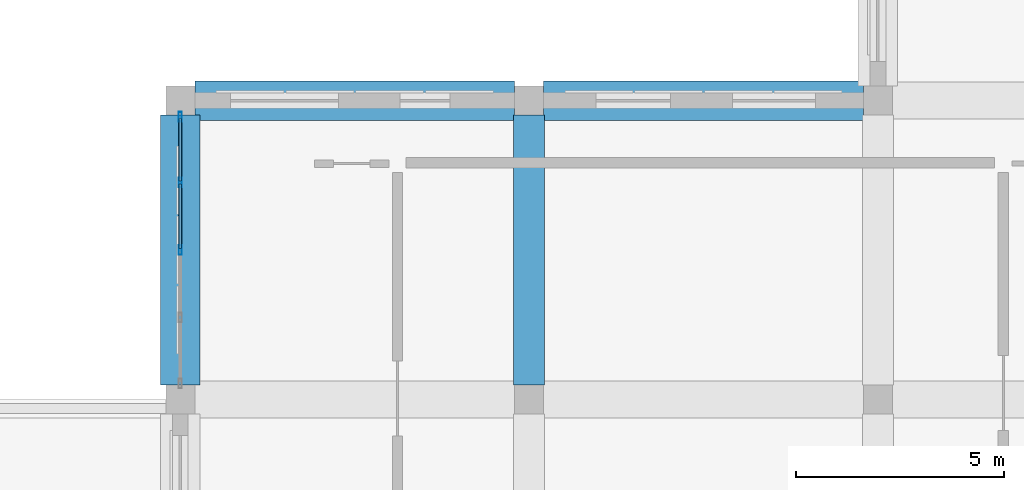
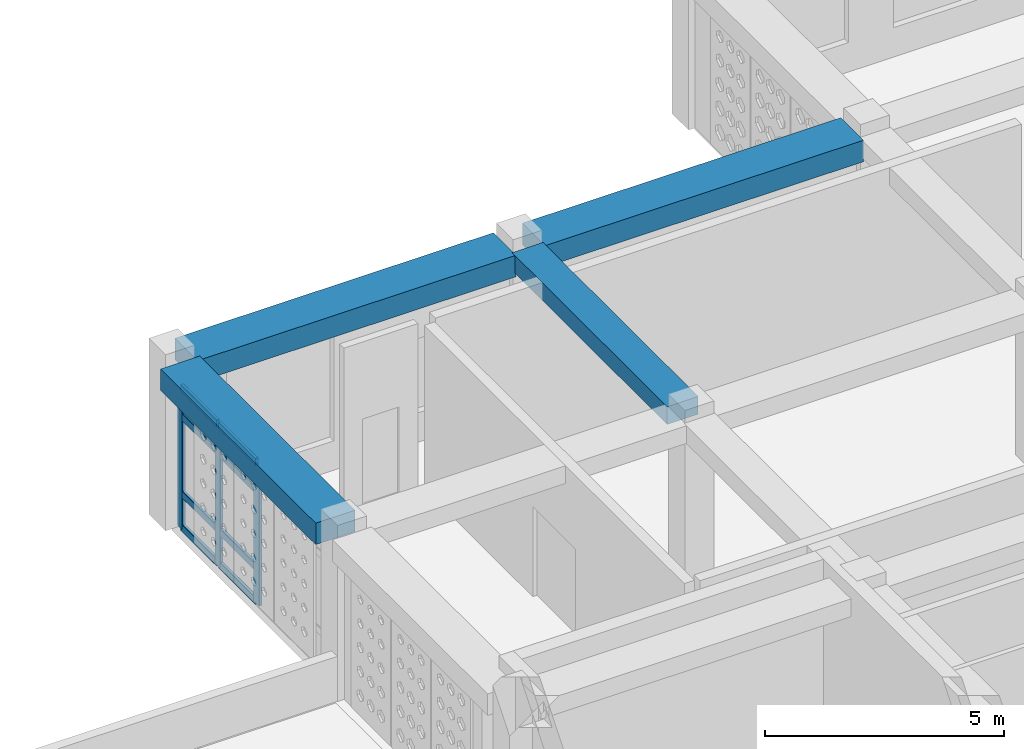
# One storey, part 23 of 79: 11 members, 4 beams, 1 element without a shape of its own.
"""IFC4 building model written with IfcOpenShell, lengths in metres."""

import ifcopenshell
import ifcopenshell.guid

model = None  # the IFC model being written
_history = None  # IfcOwnerHistory: only IFC2X3 demands one
_inside = {}  # id of a spatial element -> (the spatial element, [elements in it])
_under = {}  # id of a project, library or spatial element -> (it, [spatial elements below it])
_declared = {}  # id of a project -> (the project, [libraries it declares])
_typed = {}  # id of a type object -> (the type object, [elements of that type])
_made_of = {}  # id of a material, layer set ... -> (it, [elements and type objects made of it])


def new_model(schema):
    """Start an empty IFC model of exactly this schema.

    Asked for "IFC4X3", IfcOpenShell would pick the latest addendum, in which some entities
    have other attributes; the version numbers below select the first issue.
    IFC2X3 requires an IfcOwnerHistory on every rooted entity: one is made here for all.
    """
    global model, _history
    if schema == "IFC4X3":
        model = ifcopenshell.file(schema_version=(4, 3, 0, 0))
    else:
        model = ifcopenshell.file(schema=schema)
    _inside.clear()
    _under.clear()
    _declared.clear()
    _typed.clear()
    _made_of.clear()
    _history = None
    if model.schema == "IFC2X3":
        org = make("IfcOrganization", Name="unknown")
        user = make(
            "IfcPersonAndOrganization",
            ThePerson=make("IfcPerson", FamilyName="unknown"),
            TheOrganization=org,
        )
        app = make(
            "IfcApplication",
            ApplicationDeveloper=org,
            Version="unknown",
            ApplicationFullName="unknown",
            ApplicationIdentifier="unknown",
        )
        _history = make(
            "IfcOwnerHistory",
            OwningUser=user,
            OwningApplication=app,
            ChangeAction="ADDED",
            CreationDate=0,
        )
    return model


def make(cls, **values):
    """One entity of the class cls with the attributes given. An attribute that is None is left unset."""
    return model.create_entity(
        cls, **{name: value for name, value in values.items() if value is not None}
    )


def rooted(cls, **values):
    """An entity with a GlobalId (a new one), such as an element, a storey or a relation."""
    return make(cls, GlobalId=ifcopenshell.guid.new(), OwnerHistory=_history, **values)


def si_unit(unit_type, name, prefix=None):
    """IfcSIUnit, for example si_unit("LENGTHUNIT", "METRE", prefix="MILLI")."""
    return make("IfcSIUnit", UnitType=unit_type, Prefix=prefix, Name=name)


def derived_unit(unit_type, elements):
    """IfcDerivedUnit: a product of units, each with its exponent."""
    return make(
        "IfcDerivedUnit",
        Elements=[
            make("IfcDerivedUnitElement", Unit=unit, Exponent=power)
            for unit, power in elements
        ],
        UnitType=unit_type,
    )


def assignment(units):
    """IfcUnitAssignment: the units of a project."""
    return None if units is None else make("IfcUnitAssignment", Units=units)


def point(xyz):
    """IfcCartesianPoint."""
    return None if xyz is None else make("IfcCartesianPoint", Coordinates=xyz)


def direction(xyz):
    """IfcDirection."""
    return None if xyz is None else make("IfcDirection", DirectionRatios=xyz)


def frame(location, z_axis=None, x_axis=None):
    """IfcAxis2Placement3D, a coordinate frame: its origin and axes. An axis left out is left unset."""
    return make(
        "IfcAxis2Placement3D",
        Location=point(location),
        Axis=direction(z_axis),
        RefDirection=direction(x_axis),
    )


def frame_2d(location, x_axis=None):
    """IfcAxis2Placement2D, a coordinate frame in the plane: its origin and x axis."""
    return make(
        "IfcAxis2Placement2D", Location=point(location), RefDirection=direction(x_axis)
    )


def origin():
    """The frame at (0, 0, 0) with its axes left unset."""
    return frame((0.0, 0.0, 0.0))


def origin_2d():
    """The frame at (0, 0) in the plane with its x axis left unset."""
    return frame_2d((0.0, 0.0))


def place(relative_to, where):
    """IfcLocalPlacement: puts the frame where relative to a parent placement (None: the world)."""
    return make(
        "IfcLocalPlacement", PlacementRelTo=relative_to, RelativePlacement=where
    )


def context(
    kind, dimensions, precision=None, world=None, true_north=None, identifier=None
):
    """IfcGeometricRepresentationContext, for example the 3D "Model" context."""
    return make(
        "IfcGeometricRepresentationContext",
        ContextIdentifier=identifier,
        ContextType=kind,
        CoordinateSpaceDimension=dimensions,
        Precision=precision,
        WorldCoordinateSystem=world,
        TrueNorth=true_north,
    )


def subcontext(parent, identifier, kind, view, scale=None):
    """IfcGeometricRepresentationSubContext, for example "Body" below "Model"."""
    return make(
        "IfcGeometricRepresentationSubContext",
        ContextIdentifier=identifier,
        ContextType=kind,
        ParentContext=parent,
        TargetScale=scale,
        TargetView=view,
    )


def project(units=None, contexts=None):
    """IfcProject with its units and contexts."""
    return rooted(
        "IfcProject",
        Name="project",
        RepresentationContexts=contexts,
        UnitsInContext=assignment(units),
    )


def spatial(cls, under=None, at=None, **own):
    """A site, building, storey or space (cls), placed at a placement, below another one or the project."""
    s = rooted(cls, ObjectPlacement=at, **own)
    if under is not None:
        _under.setdefault(under.id(), (under, []))[1].append(s)
    return s


def profile(cls, at=None, kind="AREA", **sizes):
    """A parametric profile (cls). Its sizes go by their IFC names, for example OverallWidth=200.0."""
    return make(cls, ProfileType=kind, Position=at, **sizes)


def rectangle(**sizes):
    """IfcRectangleProfileDef."""
    return profile("IfcRectangleProfileDef", **sizes)


def hollow_rectangle(**sizes):
    """IfcRectangleHollowProfileDef."""
    return profile("IfcRectangleHollowProfileDef", **sizes)


def extrude(swept, where, along, depth):
    """IfcExtrudedAreaSolid: the profile swept, set in the frame where, extruded along a direction by depth."""
    return make(
        "IfcExtrudedAreaSolid",
        SweptArea=swept,
        Position=where,
        ExtrudedDirection=direction(along),
        Depth=depth,
    )


def shape(context_of_items, identifier, shape_type, items):
    """IfcShapeRepresentation: the items that make up one representation, for example the "Body"."""
    return make(
        "IfcShapeRepresentation",
        ContextOfItems=context_of_items,
        RepresentationIdentifier=identifier,
        RepresentationType=shape_type,
        Items=items,
    )


def material(Name=None, Category=None):
    """IfcMaterial."""
    return make("IfcMaterial", Name=Name, Category=Category)


def material_profile(
    of_material, cross_section, Name=None, Category=None, Priority=None
):
    """IfcMaterialProfile: a cross section and its material."""
    return make(
        "IfcMaterialProfile",
        Name=Name,
        Material=of_material,
        Profile=cross_section,
        Priority=Priority,
        Category=Category,
    )


def profile_set(profiles, Name=None, composite=None):
    """IfcMaterialProfileSet."""
    return make(
        "IfcMaterialProfileSet",
        Name=Name,
        MaterialProfiles=profiles,
        CompositeProfile=composite,
    )


def made_of(thing, what):
    """Note that an element or type object is made of a material, layer set ...; save() writes the relation."""
    if what is not None:
        _made_of.setdefault(what.id(), (what, []))[1].append(thing)
    return thing


def type_object(cls, material=None, **own):
    """A type object (cls), such as IfcWallType, which elements share."""
    return made_of(rooted(cls, **own), material)


def element(
    cls,
    number,
    at=None,
    inside=None,
    cuts=None,
    type_object=None,
    material=None,
    context=None,
    identifier="Body",
    shape_type=None,
    held_by="IfcProductDefinitionShape",
    body=None,
    shapes=None,
    **own,
):
    """One element of the class cls, such as IfcWall. Its Tag is "e" and its number.

    at: its placement. inside: the storey or other place that contains it. cuts: it is an
    opening in that element (IfcRelVoidsElement). A single representation is given by context,
    identifier, shape_type and body (its items); several are given by shapes. held_by: the class
    of the entity that holds the representations. save() writes the other relations.
    """
    e = rooted(cls, Tag="e%d" % number, ObjectPlacement=at, **own)
    if body is not None:
        shapes = [shape(context, identifier, shape_type, body)]
    if shapes is not None:
        e.Representation = make(held_by, Representations=shapes)
    if inside is not None:
        _inside.setdefault(inside.id(), (inside, []))[1].append(e)
    if cuts is not None:
        rooted(
            "IfcRelVoidsElement", RelatingBuildingElement=cuts, RelatedOpeningElement=e
        )
    if type_object is not None:
        _typed.setdefault(type_object.id(), (type_object, []))[1].append(e)
    return made_of(e, material)


def aggregate(whole, parts):
    """IfcRelAggregates: a whole, such as a stair, and the parts it consists of."""
    return rooted("IfcRelAggregates", RelatingObject=whole, RelatedObjects=parts)


def save(model, path):
    """Write the relations noted so far, then the file.

    IfcRelAggregates (storeys below a building ...), IfcRelContainedInSpatialStructure (elements
    in a storey), IfcRelDefinesByType, IfcRelAssociatesMaterial and IfcRelDeclares: one each for
    every whole, place, type object, material and project.
    """
    for whole, parts in _under.values():
        aggregate(whole, parts)
    for where, things in _inside.values():
        rooted(
            "IfcRelContainedInSpatialStructure",
            RelatedElements=things,
            RelatingStructure=where,
        )
    for kind, things in _typed.values():
        rooted("IfcRelDefinesByType", RelatedObjects=things, RelatingType=kind)
    for what, things in _made_of.values():
        rooted("IfcRelAssociatesMaterial", RelatedObjects=things, RelatingMaterial=what)
    for by, libraries in _declared.values():
        rooted("IfcRelDeclares", RelatingContext=by, RelatedDefinitions=libraries)
    model.write(path)


model = new_model("IFC4")

# Units and contexts
model_context = context("Model", 3, precision=1e-05, world=origin(), true_north=direction((0.0, 1.0)))
body_context = subcontext(model_context, "Body", "Model", "MODEL_VIEW")
ifc_project = project(units=[si_unit("LENGTHUNIT", "METRE"), si_unit("AREAUNIT", "SQUARE_METRE"), si_unit("VOLUMEUNIT", "CUBIC_METRE"), si_unit("PLANEANGLEUNIT", "RADIAN"), si_unit("MASSUNIT", "GRAM", prefix="KILO"), derived_unit("THERMALTRANSMITTANCEUNIT", [(si_unit("POWERUNIT", "WATT"), 1), (si_unit("LENGTHUNIT", "METRE"), -2), (si_unit("THERMODYNAMICTEMPERATUREUNIT", "KELVIN"), -1)])], contexts=[model_context])

# Site, building, storey
site_placement = place(None, origin())
site = spatial("IfcSite", under=ifc_project, at=site_placement, CompositionType="ELEMENT")
building_placement = place(site_placement, origin())
building = spatial("IfcBuilding", under=site, at=building_placement, Name="Veybourne Emporium", CompositionType="ELEMENT")
storey_placement = place(building_placement, frame((0.0, 0.0, 18.89990234375)))
storey = spatial("IfcBuildingStorey", under=building, at=storey_placement, Name="L04", CompositionType="ELEMENT", Elevation=18.89990234375)

# Curtain wall, members
ifc_material_1 = material(Name="Patinated Architectural Bronze", Category="bronze")
curtain_wall_type = type_object("IfcCurtainWallType", Name="CWSystem_CWS-27", PredefinedType="NOTDEFINED", material=ifc_material_1)
curtain_wall_placement = place(storey_placement, origin())
curtain_wall = element("IfcCurtainWall", 1, at=curtain_wall_placement, inside=storey, type_object=curtain_wall_type, Name="L04 bronze glazed curtain wall CWS-27 (018)", PredefinedType="NOTDEFINED")
ifc_material_profile_1 = material_profile(ifc_material_1, hollow_rectangle(XDim=0.077880859375, YDim=0.235107421875, WallThickness=0.0048828125, InnerFilletRadius=0.007568359375, OuterFilletRadius=0.012451171875, at=origin_2d()), Name="CWM 78x235x5")
ifc_profile_set_1 = profile_set([ifc_material_profile_1], Name="Patinated Architectural Bronze")
member_type_1 = type_object("IfcMemberType", Name="CWMullion_CW-M3", PredefinedType="MULLION", material=ifc_profile_set_1)
member_1_placement = place(storey_placement, frame((16.800048828125, 82.800048828125, 0.0), z_axis=(0.0, 0.0, 1.0), x_axis=(-1.0, 0.0, 0.0)))
member_1 = element("IfcMember", 2, at=member_1_placement, type_object=member_type_1, Name="CWS-27 mullion 3", PredefinedType="MULLION", context=body_context, shape_type="SweptSolid", body=[
    extrude(hollow_rectangle(XDim=0.077880859375, YDim=0.235107421875, WallThickness=0.0048828125, InnerFilletRadius=0.007568359375, OuterFilletRadius=0.012451171875, at=origin_2d()), origin(), (0.0, 0.0, 1.0), 3.630126953125),
])
member_2_placement = place(storey_placement, frame((16.800048828125, 84.425048828125, 0.0), z_axis=(0.0, 0.0, 1.0), x_axis=(-1.0, 0.0, 0.0)))
member_2 = element("IfcMember", 3, at=member_2_placement, type_object=member_type_1, Name="CWS-27 mullion 4", PredefinedType="MULLION", context=body_context, shape_type="SweptSolid", body=[
    extrude(hollow_rectangle(XDim=0.077880859375, YDim=0.235107421875, WallThickness=0.0048828125, InnerFilletRadius=0.007568359375, OuterFilletRadius=0.012451171875, at=origin_2d()), origin(), (0.0, 0.0, 1.0), 3.630126953125),
])
member_3_placement = place(storey_placement, frame((16.800048828125, 86.010986328125, 0.0), z_axis=(0.0, 0.0, 1.0), x_axis=(-1.0, 0.0, 0.0)))
member_3 = element("IfcMember", 4, at=member_3_placement, type_object=member_type_1, Name="CWS-27 mullion 5", PredefinedType="MULLION", context=body_context, shape_type="SweptSolid", body=[
    extrude(hollow_rectangle(XDim=0.077880859375, YDim=0.235107421875, WallThickness=0.0048828125, InnerFilletRadius=0.007568359375, OuterFilletRadius=0.012451171875, at=origin_2d()), origin(), (0.0, 0.0, 1.0), 3.630126953125),
])
ifc_material_profile_2 = material_profile(ifc_material_1, hollow_rectangle(XDim=0.077880859375, YDim=0.18505859375, WallThickness=0.0048828125, InnerFilletRadius=0.007568359375, OuterFilletRadius=0.012451171875, at=origin_2d()), Name="CWT 78x185x5")
ifc_profile_set_2 = profile_set([ifc_material_profile_2], Name="Patinated Architectural Bronze")
member_type_2 = type_object("IfcMemberType", Name="CWTransom_CW-T3", PredefinedType="NOTDEFINED", material=ifc_profile_set_2)
member_4_placement = place(storey_placement, frame((16.800048828125, 82.839111328125, 0.0390625), z_axis=(0.0, 1.0, 0.0), x_axis=(-1.0, 0.0, 0.0)))
member_4 = element("IfcMember", 5, at=member_4_placement, type_object=member_type_2, Name="CWS-27 transom 3.1", ObjectType="TRANSOM", PredefinedType="USERDEFINED", context=body_context, shape_type="SweptSolid", body=[
    extrude(hollow_rectangle(XDim=0.077880859375, YDim=0.18505859375, WallThickness=0.0048828125, InnerFilletRadius=0.007568359375, OuterFilletRadius=0.012451171875, at=origin_2d()), origin(), (0.0, 0.0, 1.0), 1.546875),
])
member_5_placement = place(storey_placement, frame((16.800048828125, 82.839111328125, 0.900146484375), z_axis=(0.0, 1.0, 0.0), x_axis=(-1.0, 0.0, 0.0)))
member_5 = element("IfcMember", 6, at=member_5_placement, type_object=member_type_2, Name="CWS-27 transom 3.2", ObjectType="TRANSOM", PredefinedType="USERDEFINED", context=body_context, shape_type="SweptSolid", body=[
    extrude(hollow_rectangle(XDim=0.077880859375, YDim=0.18505859375, WallThickness=0.0048828125, InnerFilletRadius=0.007568359375, OuterFilletRadius=0.012451171875, at=origin_2d()), origin(), (0.0, 0.0, 1.0), 1.546875),
])
member_6_placement = place(storey_placement, frame((16.800048828125, 82.839111328125, 2.880126953125), z_axis=(0.0, 1.0, 0.0), x_axis=(-1.0, 0.0, 0.0)))
member_6 = element("IfcMember", 7, at=member_6_placement, type_object=member_type_2, Name="CWS-27 transom 3.3", ObjectType="TRANSOM", PredefinedType="USERDEFINED", context=body_context, shape_type="SweptSolid", body=[
    extrude(hollow_rectangle(XDim=0.077880859375, YDim=0.18505859375, WallThickness=0.0048828125, InnerFilletRadius=0.007568359375, OuterFilletRadius=0.012451171875, at=origin_2d()), origin(), (0.0, 0.0, 1.0), 1.546875),
])
member_7_placement = place(storey_placement, frame((16.800048828125, 82.839111328125, 3.591064453125), z_axis=(0.0, 1.0, 0.0), x_axis=(-1.0, 0.0, 0.0)))
member_7 = element("IfcMember", 8, at=member_7_placement, type_object=member_type_2, Name="CWS-27 transom 3.4", ObjectType="TRANSOM", PredefinedType="USERDEFINED", context=body_context, shape_type="SweptSolid", body=[
    extrude(hollow_rectangle(XDim=0.077880859375, YDim=0.18505859375, WallThickness=0.0048828125, InnerFilletRadius=0.007568359375, OuterFilletRadius=0.012451171875, at=origin_2d()), origin(), (0.0, 0.0, 1.0), 1.546875),
])
member_8_placement = place(storey_placement, frame((16.800048828125, 84.464111328125, 0.0390625), z_axis=(0.0, 1.0, 0.0), x_axis=(-1.0, 0.0, 0.0)))
member_8 = element("IfcMember", 9, at=member_8_placement, type_object=member_type_2, Name="CWS-27 transom 4.1", ObjectType="TRANSOM", PredefinedType="USERDEFINED", context=body_context, shape_type="SweptSolid", body=[
    extrude(hollow_rectangle(XDim=0.077880859375, YDim=0.18505859375, WallThickness=0.0048828125, InnerFilletRadius=0.007568359375, OuterFilletRadius=0.012451171875, at=origin_2d()), origin(), (0.0, 0.0, 1.0), 1.5078125),
])
member_9_placement = place(storey_placement, frame((16.800048828125, 84.464111328125, 0.900146484375), z_axis=(0.0, 1.0, 0.0), x_axis=(-1.0, 0.0, 0.0)))
member_9 = element("IfcMember", 10, at=member_9_placement, type_object=member_type_2, Name="CWS-27 transom 4.2", ObjectType="TRANSOM", PredefinedType="USERDEFINED", context=body_context, shape_type="SweptSolid", body=[
    extrude(hollow_rectangle(XDim=0.077880859375, YDim=0.18505859375, WallThickness=0.0048828125, InnerFilletRadius=0.007568359375, OuterFilletRadius=0.012451171875, at=origin_2d()), origin(), (0.0, 0.0, 1.0), 1.5078125),
])
member_10_placement = place(storey_placement, frame((16.800048828125, 84.464111328125, 2.880126953125), z_axis=(0.0, 1.0, 0.0), x_axis=(-1.0, 0.0, 0.0)))
member_10 = element("IfcMember", 11, at=member_10_placement, type_object=member_type_2, Name="CWS-27 transom 4.3", ObjectType="TRANSOM", PredefinedType="USERDEFINED", context=body_context, shape_type="SweptSolid", body=[
    extrude(hollow_rectangle(XDim=0.077880859375, YDim=0.18505859375, WallThickness=0.0048828125, InnerFilletRadius=0.007568359375, OuterFilletRadius=0.012451171875, at=origin_2d()), origin(), (0.0, 0.0, 1.0), 1.5078125),
])
member_11_placement = place(storey_placement, frame((16.800048828125, 84.464111328125, 3.591064453125), z_axis=(0.0, 1.0, 0.0), x_axis=(-1.0, 0.0, 0.0)))
member_11 = element("IfcMember", 12, at=member_11_placement, type_object=member_type_2, Name="CWS-27 transom 4.4", ObjectType="TRANSOM", PredefinedType="USERDEFINED", context=body_context, shape_type="SweptSolid", body=[
    extrude(hollow_rectangle(XDim=0.077880859375, YDim=0.18505859375, WallThickness=0.0048828125, InnerFilletRadius=0.007568359375, OuterFilletRadius=0.012451171875, at=origin_2d()), origin(), (0.0, 0.0, 1.0), 1.5078125),
])
aggregate(curtain_wall, [member_1, member_2, member_3, member_4, member_5, member_6, member_7, member_8, member_9, member_10, member_11])

# Beams
ifc_material_2 = material(Name="Concrete C32/40", Category="concrete")
ifc_material_profile_3 = material_profile(ifc_material_2, rectangle(XDim=0.75, YDim=0.449951171875, at=origin_2d()), Name="RC 750x450")
ifc_profile_set_3 = profile_set([ifc_material_profile_3], Name="Concrete C32/40")
beam_type_1 = type_object("IfcBeamType", Name="RCBeam_BB-04", PredefinedType="BEAM", material=ifc_profile_set_3)
beam_1_placement = place(storey_placement, frame((25.199951171875, 79.550048828125, 3.955078125), z_axis=(0.0, 1.0, 0.0), x_axis=(-1.0, 0.0, 0.0)))
element("IfcBeam", 13, at=beam_1_placement, inside=storey, type_object=beam_type_1, Name="L04 Y-grid beam BB-04 (3,11)", PredefinedType="BEAM", context=body_context, shape_type="SweptSolid", body=[
    extrude(rectangle(XDim=0.75, YDim=0.449951171875, at=origin_2d()), origin(), (0.0, 0.0, 1.0), 6.5),
])
ifc_material_profile_4 = material_profile(ifc_material_2, rectangle(XDim=0.949951171875, YDim=0.550048828125, at=origin_2d()), Name="RC 950x550")
ifc_profile_set_4 = profile_set([ifc_material_profile_4], Name="Concrete C32/40")
beam_type_2 = type_object("IfcBeamType", Name="RCBeam_EB-01", PredefinedType="SPANDREL", material=ifc_profile_set_4)
beam_2_placement = place(storey_placement, frame((17.14990234375, 86.39990234375, 3.905029296875), z_axis=(1.0, 0.0, 0.0), x_axis=(0.0, 1.0, 0.0)))
element("IfcBeam", 14, at=beam_2_placement, inside=storey, type_object=beam_type_2, Name="L04 X-grid beam EB-01 (2,12)", PredefinedType="SPANDREL", context=body_context, shape_type="SweptSolid", body=[
    extrude(rectangle(XDim=0.949951171875, YDim=0.550048828125, at=origin_2d()), origin(), (0.0, 0.0, 1.0), 7.7001953125),
])
beam_3_placement = place(storey_placement, frame((25.550048828125, 86.39990234375, 3.905029296875), z_axis=(1.0, 0.0, 0.0), x_axis=(0.0, 1.0, 0.0)))
element("IfcBeam", 15, at=beam_3_placement, inside=storey, type_object=beam_type_2, Name="L04 X-grid beam EB-01 (3,12)", PredefinedType="SPANDREL", context=body_context, shape_type="SweptSolid", body=[
    extrude(rectangle(XDim=0.949951171875, YDim=0.550048828125, at=origin_2d()), origin(), (0.0, 0.0, 1.0), 7.699951171875),
])
beam_4_placement = place(storey_placement, frame((16.800048828125, 79.550048828125, 3.905029296875), z_axis=(0.0, 1.0, 0.0), x_axis=(-1.0, 0.0, 0.0)))
element("IfcBeam", 16, at=beam_4_placement, inside=storey, type_object=beam_type_2, Name="L04 Y-grid beam EB-01 (2,11)", PredefinedType="SPANDREL", context=body_context, shape_type="SweptSolid", body=[
    extrude(rectangle(XDim=0.949951171875, YDim=0.550048828125, at=origin_2d()), origin(), (0.0, 0.0, 1.0), 6.5),
])

save(model, "model.ifc")
